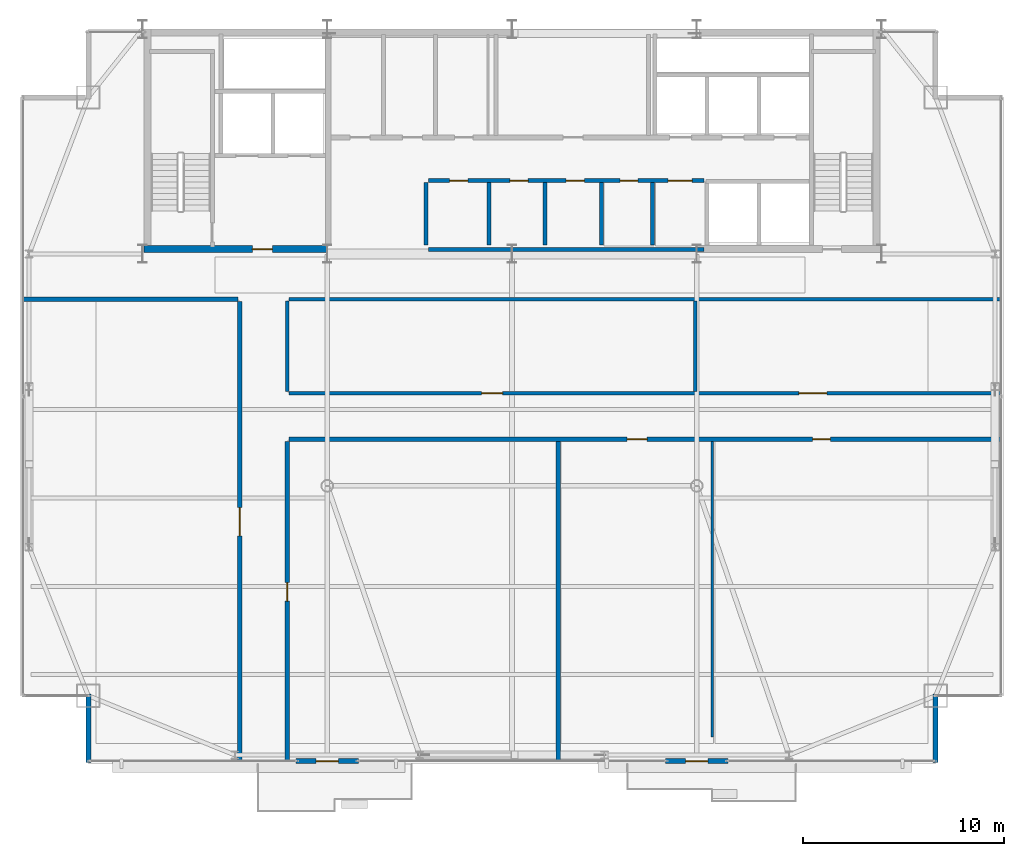
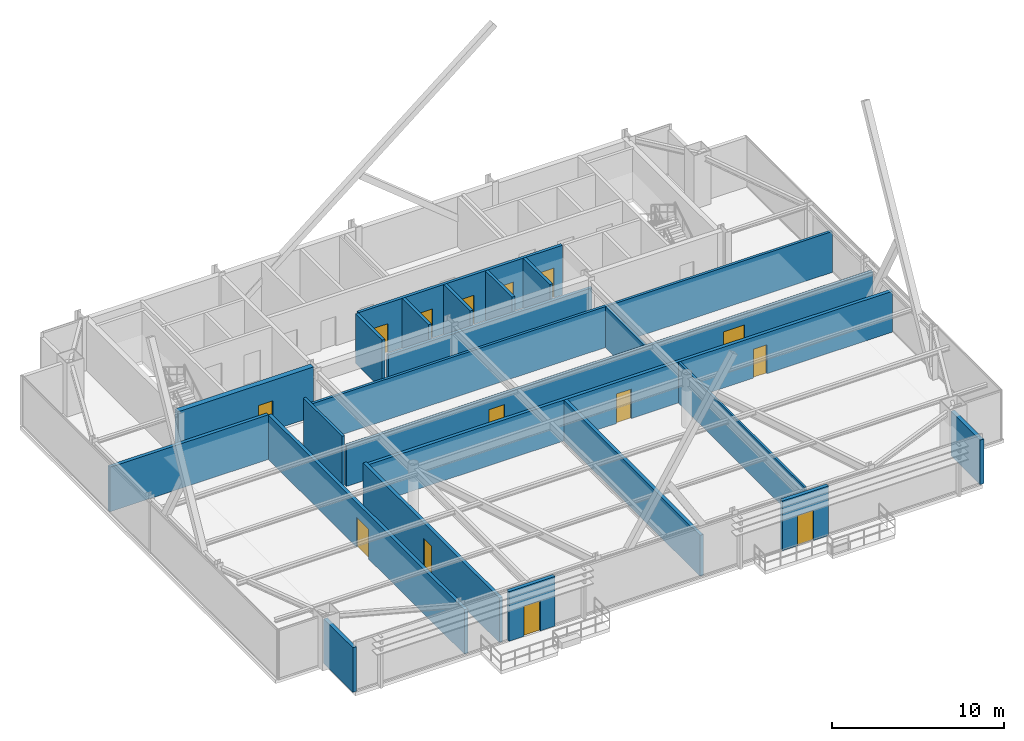
# One storey, part 27 of 31: 22 walls, 14 doors, 14 openings.
"""IFC4 building model written with IfcOpenShell, lengths in metres."""

from ifc_helpers import new_model, si_unit, direction, frame, frame_2d, origin, place, context, subcontext, project, spatial, rectangle, extrude, source, transform, mapped, material, layer, layer_set, type_object, type_shapes, element, fill, save


model = new_model("IFC4")

# Units and contexts
model_context = context("Model", 3, precision=1e-05, world=origin(), true_north=direction((0.0, 1.0)))
body_context = subcontext(model_context, "Body", "Model", "MODEL_VIEW")
ifc_project = project(units=[si_unit("LENGTHUNIT", "METRE"), si_unit("AREAUNIT", "SQUARE_METRE"), si_unit("VOLUMEUNIT", "CUBIC_METRE"), si_unit("PLANEANGLEUNIT", "RADIAN"), si_unit("MASSUNIT", "GRAM", prefix="KILO")], contexts=[model_context])

# Site, building, storey
site_placement = place(None, origin())
site = spatial("IfcSite", under=ifc_project, at=site_placement, CompositionType="ELEMENT")
building_placement = place(site_placement, origin())
building = spatial("IfcBuilding", under=site, at=building_placement, Name="Varnel Quay Broadcast Tower", CompositionType="ELEMENT")
storey_placement = place(building_placement, frame((0.0, 0.0, 239.39990234375)))
storey = spatial("IfcBuildingStorey", under=building, at=storey_placement, Name="L59", CompositionType="ELEMENT", Elevation=239.39990234375)

# Wall, opening, door
ifc_material_1 = material(Name="Concrete CSA A23.3 C50/60", Category="concrete")
ifc_layer_1 = layer(ifc_material_1, 0.35009765625, Name="Concrete CSA A23.3 C50/60")
ifc_layer_set_1 = layer_set([ifc_layer_1], Name="Concrete CSA A23.3 C50/60")
wall_type_1 = type_object("IfcWallType", Name="Wall_CoreShearInt350", PredefinedType="SHEAR", material=ifc_layer_set_1)
wall_1_placement = place(storey_placement, frame((15.669921875, 35.844970703125, 0.0), z_axis=(0.0, 0.0, 1.0), x_axis=(1.0, 0.0, 0.0)))
wall_1 = element("IfcWall", 1, at=wall_1_placement, inside=storey, type_object=wall_type_1, Name="L59 South-West Core Shear Wall", PredefinedType="SHEAR", context=body_context, shape_type="SweptSolid", body=[
    extrude(rectangle(XDim=9.130126953125, YDim=0.35009765625, at=frame_2d((4.56494140625, 0.0))), origin(), (0.0, 0.0, 1.0), 3.550048828125),
])
opening_1_placement = place(wall_1_placement, frame((5.39990234375, 0.0, 0.0)))
opening_1 = element("IfcOpeningElement", 2, at=opening_1_placement, cuts=wall_1, Name="Opening D-L59-FFL", PredefinedType="OPENING", context=body_context, shape_type="SweptSolid", body=[
    extrude(rectangle(XDim=1.0, YDim=2.10009765625, at=frame_2d((0.5, 1.050048828125))), frame((0.0, 0.18505859375, 0.0), z_axis=(0.0, -1.0, 0.0), x_axis=(1.0, 0.0, 0.0)), (0.0, 0.0, 1.0), 0.3701171875),
])
ifc_material_2 = material(Name="Insulated Fire-Rated Hollow Steel Door", Category="steel")
door_type_1 = type_object("IfcDoorType", Name="Door_FireLobby1000", OperationType="NOTDEFINED", PredefinedType="DOOR", material=ifc_material_2)
shared_shape_1 = source(origin(), body_context, "Body", "SweptSolid", [
    extrude(rectangle(XDim=1.0, YDim=2.10009765625, at=frame_2d((0.5, 1.050048828125))), frame((0.0, 0.02490234375, 0.0), z_axis=(0.0, -1.0, 0.0), x_axis=(1.0, 0.0, 0.0)), (0.0, 0.0, 1.0), 0.050048828125),
])
type_shapes(door_type_1, [shared_shape_1])
door_1_placement = place(opening_1_placement, origin())
door_1 = element("IfcDoor", 3, at=door_1_placement, inside=storey, type_object=door_type_1, Name="L59 Firefighting Lobby Door", OperationType="SINGLE_SWING_LEFT", OverallHeight=2.10009765625, OverallWidth=1.0, PredefinedType="DOOR", context=body_context, shape_type="MappedRepresentation", body=[
    mapped(shared_shape_1, transform((0.0, 0.0, 0.0), x_axis=(1.0, 0.0, 0.0), y_axis=(0.0, 1.0, 0.0), z_axis=(0.0, 0.0, 1.0), scale=1.0)),
])
fill(opening_1, door_1)

ifc_material_3 = material(Name="Precast Architectural Concrete C40/50", Category="concrete")
ifc_layer_2 = layer(ifc_material_3, 0.25, Name="Precast Architectural Concrete C40/50")
ifc_layer_set_2 = layer_set([ifc_layer_2], Name="Precast Architectural Concrete C40/50")
wall_type_2 = type_object("IfcWallType", Name="Wall_ExtTerrace250", PredefinedType="SOLIDWALL", material=ifc_layer_set_2)
wall_2_placement = place(storey_placement, frame((23.25, 10.35009765625, 0.0), z_axis=(0.0, 0.0, 1.0), x_axis=(1.0, 0.0, 0.0)))
wall_2 = element("IfcWall", 4, at=wall_2_placement, inside=storey, type_object=wall_type_2, Name="L59 Terrace Access Wall 1", PredefinedType="SOLIDWALL", context=body_context, shape_type="SweptSolid", body=[
    extrude(rectangle(XDim=3.10009765625, YDim=0.25, at=frame_2d((1.550048828125, 0.0))), origin(), (0.0, 0.0, 1.0), 3.530029296875),
])
opening_2_placement = place(wall_2_placement, frame((1.0, 0.0, 0.0)))
opening_2 = element("IfcOpeningElement", 5, at=opening_2_placement, cuts=wall_2, Name="Opening TD-591", PredefinedType="OPENING", context=body_context, shape_type="SweptSolid", body=[
    extrude(rectangle(XDim=1.10009765625, YDim=2.14990234375, at=frame_2d((0.550048828125, 1.074951171875))), frame((0.0, 0.135009765625, 0.0), z_axis=(0.0, -1.0, 0.0), x_axis=(1.0, 0.0, 0.0)), (0.0, 0.0, 1.0), 0.27001953125),
])
ifc_material_4 = material(Name="Anodised Bronze Aluminium 6063-T6", Category="aluminium")
door_type_2 = type_object("IfcDoorType", Name="Door_ExtTerrace1100", OperationType="NOTDEFINED", PredefinedType="DOOR", material=ifc_material_4)
shared_shape_2 = source(origin(), body_context, "Body", "SweptSolid", [
    extrude(rectangle(XDim=1.10009765625, YDim=2.14990234375, at=frame_2d((0.550048828125, 1.074951171875))), frame((0.0, 0.02490234375, 0.0), z_axis=(0.0, -1.0, 0.0), x_axis=(1.0, 0.0, 0.0)), (0.0, 0.0, 1.0), 0.050048828125),
])
type_shapes(door_type_2, [shared_shape_2])
door_2_placement = place(opening_2_placement, frame((1.10009765625, 0.0, 0.0), z_axis=(0.0, 0.0, 1.0), x_axis=(-1.0, 0.0, 0.0)))
door_2 = element("IfcDoor", 6, at=door_2_placement, inside=storey, type_object=door_type_2, Name="L59 Terrace Door TD-591", OperationType="SINGLE_SWING_LEFT", OverallHeight=2.14990234375, OverallWidth=1.10009765625, PredefinedType="DOOR", context=body_context, shape_type="MappedRepresentation", body=[
    mapped(shared_shape_2, transform((0.0, 0.0, 0.0), x_axis=(1.0, 0.0, 0.0), y_axis=(0.0, 1.0, 0.0), z_axis=(0.0, 0.0, 1.0), scale=1.0)),
])
fill(opening_2, door_2)

wall_3_placement = place(storey_placement, frame((41.64990234375, 10.35009765625, 0.0), z_axis=(0.0, 0.0, 1.0), x_axis=(1.0, 0.0, 0.0)))
wall_3 = element("IfcWall", 7, at=wall_3_placement, inside=storey, type_object=wall_type_2, Name="L59 Terrace Access Wall 2", PredefinedType="SOLIDWALL", context=body_context, shape_type="SweptSolid", body=[
    extrude(rectangle(XDim=3.10009765625, YDim=0.25, at=frame_2d((1.550048828125, 0.0))), origin(), (0.0, 0.0, 1.0), 3.530029296875),
])
opening_3_placement = place(wall_3_placement, frame((1.0, 0.0, 0.0)))
opening_3 = element("IfcOpeningElement", 8, at=opening_3_placement, cuts=wall_3, Name="Opening TD-592", PredefinedType="OPENING", context=body_context, shape_type="SweptSolid", body=[
    extrude(rectangle(XDim=1.10009765625, YDim=2.14990234375, at=frame_2d((0.550048828125, 1.074951171875))), frame((0.0, 0.135009765625, 0.0), z_axis=(0.0, -1.0, 0.0), x_axis=(1.0, 0.0, 0.0)), (0.0, 0.0, 1.0), 0.27001953125),
])
door_3_placement = place(opening_3_placement, frame((1.10009765625, 0.0, 0.0), z_axis=(0.0, 0.0, 1.0), x_axis=(-1.0, 0.0, 0.0)))
door_3 = element("IfcDoor", 9, at=door_3_placement, inside=storey, type_object=door_type_2, Name="L59 Terrace Door TD-592", OperationType="SINGLE_SWING_RIGHT", OverallHeight=2.14990234375, OverallWidth=1.10009765625, PredefinedType="DOOR", context=body_context, shape_type="MappedRepresentation", body=[
    mapped(shared_shape_2, transform((0.0, 0.0, 0.0), x_axis=(1.0, 0.0, 0.0), y_axis=(0.0, 1.0, 0.0), z_axis=(0.0, 0.0, 1.0), scale=1.0)),
])
fill(opening_3, door_3)

# Walls
for number, where, z_axis, x_axis, name in (
    (10, (12.89990234375, 10.280029296875, 0.0), (0.0, 0.0, 1.0), (0.0, 1.0, 0.0), "L59 Mega-Column Notch Cladding Wall NSW2"),
    (11, (55.10009765625, 10.280029296875, 0.0), (0.0, 0.0, 1.0), (0.0, 1.0, 0.0), "L59 Mega-Column Notch Cladding Wall NSE2"),
):
    element("IfcWall", number, at=place(storey_placement, frame(where, z_axis=z_axis, x_axis=x_axis)), inside=storey, type_object=wall_type_2, Name=name, PredefinedType="SOLIDWALL", context=body_context, shape_type="SweptSolid", body=[
        extrude(rectangle(XDim=3.39990234375, YDim=0.25, at=frame_2d((1.699951171875, 0.0))), origin(), (0.0, 0.0, 1.0), 3.171142578125),
    ])
ifc_material_5 = material(Name="Concrete Blockwork Fire Enclosure C40/50", Category="masonry")
ifc_layer_3 = layer(ifc_material_5, 0.199951171875, Name="Concrete Blockwork Fire Enclosure C40/50")
ifc_layer_set_3 = layer_set([ifc_layer_3], Name="Concrete Blockwork Fire Enclosure C40/50")
wall_type_3 = type_object("IfcWallType", Name="Wall_FireShaft200", PredefinedType="SOLIDWALL", material=ifc_layer_set_3)
wall_4_placement = place(storey_placement, frame((29.85009765625, 35.824951171875, 0.0), z_axis=(0.0, 0.0, 1.0), x_axis=(1.0, 0.0, 0.0)))
element("IfcWall", 12, at=wall_4_placement, inside=storey, type_object=wall_type_3, Name="L59 Accessible Washroom Partition 1", PredefinedType="SOLIDWALL", context=body_context, shape_type="SweptSolid", body=[
    extrude(rectangle(XDim=13.699951171875, YDim=0.199951171875, at=frame_2d((6.85009765625, 0.0))), origin(), (0.0, 0.0, 1.0), 2.5751953125),
])

# Wall, openings, doors
wall_5_placement = place(storey_placement, frame((29.85009765625, 39.25, 0.0), z_axis=(0.0, 0.0, 1.0), x_axis=(1.0, 0.0, 0.0)))
wall_5 = element("IfcWall", 13, at=wall_5_placement, inside=storey, type_object=wall_type_3, Name="L59 Accessible Washroom Partition 3", PredefinedType="SOLIDWALL", context=body_context, shape_type="SweptSolid", body=[
    extrude(rectangle(XDim=13.699951171875, YDim=0.199951171875, at=frame_2d((6.85009765625, 0.0))), origin(), (0.0, 0.0, 1.0), 3.530029296875),
])
opening_4_placement = place(wall_5_placement, frame((1.050048828125, 0.0, 0.0)))
opening_4 = element("IfcOpeningElement", 14, at=opening_4_placement, cuts=wall_5, Name="Opening D-L59-01", PredefinedType="OPENING", context=body_context, shape_type="SweptSolid", body=[
    extrude(rectangle(XDim=0.89990234375, YDim=2.06005859375, at=frame_2d((0.449951171875, 1.030029296875))), frame((0.0, 0.10986328125, 0.0), z_axis=(0.0, -1.0, 0.0), x_axis=(1.0, 0.0, 0.0)), (0.0, 0.0, 1.0), 0.219970703125),
])
opening_5_placement = place(wall_5_placement, frame((4.050048828125, 0.0, 0.0)))
opening_5 = element("IfcOpeningElement", 15, at=opening_5_placement, cuts=wall_5, Name="Opening D-L59-02", PredefinedType="OPENING", context=body_context, shape_type="SweptSolid", body=[
    extrude(rectangle(XDim=0.89990234375, YDim=2.06005859375, at=frame_2d((0.449951171875, 1.030029296875))), frame((0.0, 0.10986328125, 0.0), z_axis=(0.0, -1.0, 0.0), x_axis=(1.0, 0.0, 0.0)), (0.0, 0.0, 1.0), 0.219970703125),
])
opening_6_placement = place(wall_5_placement, frame((6.85009765625, 0.0, 0.0)))
opening_6 = element("IfcOpeningElement", 16, at=opening_6_placement, cuts=wall_5, Name="Opening D-L59-03", PredefinedType="OPENING", context=body_context, shape_type="SweptSolid", body=[
    extrude(rectangle(XDim=0.89990234375, YDim=2.06005859375, at=frame_2d((0.449951171875, 1.030029296875))), frame((0.0, 0.10986328125, 0.0), z_axis=(0.0, -1.0, 0.0), x_axis=(1.0, 0.0, 0.0)), (0.0, 0.0, 1.0), 0.219970703125),
])
opening_7_placement = place(wall_5_placement, frame((9.534912109375, 0.0, 0.0)))
opening_7 = element("IfcOpeningElement", 17, at=opening_7_placement, cuts=wall_5, Name="Opening D-L59-04", PredefinedType="OPENING", context=body_context, shape_type="SweptSolid", body=[
    extrude(rectangle(XDim=0.8798828125, YDim=2.06005859375, at=frame_2d((0.43994140625, 1.030029296875))), frame((0.0, 0.10986328125, 0.0), z_axis=(0.0, -1.0, 0.0), x_axis=(1.0, 0.0, 0.0)), (0.0, 0.0, 1.0), 0.219970703125),
])
opening_8_placement = place(wall_5_placement, frame((11.925048828125, 0.0, 0.0)))
opening_8 = element("IfcOpeningElement", 18, at=opening_8_placement, cuts=wall_5, Name="Opening D-L59-05", PredefinedType="OPENING", context=body_context, shape_type="SweptSolid", body=[
    extrude(rectangle(XDim=1.199951171875, YDim=2.10009765625, at=frame_2d((0.60009765625, 1.050048828125))), frame((0.0, 0.10986328125, 0.0), z_axis=(0.0, -1.0, 0.0), x_axis=(1.0, 0.0, 0.0)), (0.0, 0.0, 1.0), 0.219970703125),
])
ifc_material_6 = material(Name="Solid-Core Fire-Rated Acoustic Oak Veneer Door", Category="wood")
door_type_3 = type_object("IfcDoorType", Name="Door_Washroom900", OperationType="NOTDEFINED", PredefinedType="DOOR", material=ifc_material_6)
shared_shape_3 = source(origin(), body_context, "Body", "SweptSolid", [
    extrude(rectangle(XDim=0.89990234375, YDim=2.06005859375, at=frame_2d((0.449951171875, 1.030029296875))), frame((0.0, 0.02490234375, 0.0), z_axis=(0.0, -1.0, 0.0), x_axis=(1.0, 0.0, 0.0)), (0.0, 0.0, 1.0), 0.050048828125),
])
type_shapes(door_type_3, [shared_shape_3])
door_4_placement = place(opening_4_placement, frame((0.89990234375, 0.0, 0.0), z_axis=(0.0, 0.0, 1.0), x_axis=(-1.0, 0.0, 0.0)))
door_4 = element("IfcDoor", 19, at=door_4_placement, inside=storey, type_object=door_type_3, Name="L59 Accessible Washroom Door D-L59-01", OperationType="SINGLE_SWING_LEFT", OverallHeight=2.06005859375, OverallWidth=0.89990234375, PredefinedType="DOOR", context=body_context, shape_type="MappedRepresentation", body=[
    mapped(shared_shape_3, transform((0.0, 0.0, 0.0), x_axis=(1.0, 0.0, 0.0), y_axis=(0.0, 1.0, 0.0), z_axis=(0.0, 0.0, 1.0), scale=1.0)),
])
fill(opening_4, door_4)
door_5_placement = place(opening_5_placement, frame((0.89990234375, 0.0, 0.0), z_axis=(0.0, 0.0, 1.0), x_axis=(-1.0, 0.0, 0.0)))
door_5 = element("IfcDoor", 20, at=door_5_placement, inside=storey, type_object=door_type_3, Name="L59 West Gender-Neutral Washroom Door D-L59-02", OperationType="SINGLE_SWING_RIGHT", OverallHeight=2.06005859375, OverallWidth=0.89990234375, PredefinedType="DOOR", context=body_context, shape_type="MappedRepresentation", body=[
    mapped(shared_shape_3, transform((0.0, 0.0, 0.0), x_axis=(1.0, 0.0, 0.0), y_axis=(0.0, 1.0, 0.0), z_axis=(0.0, 0.0, 1.0), scale=1.0)),
])
fill(opening_5, door_5)
door_6_placement = place(opening_6_placement, frame((0.89990234375, 0.0, 0.0), z_axis=(0.0, 0.0, 1.0), x_axis=(-1.0, 0.0, 0.0)))
door_6 = element("IfcDoor", 21, at=door_6_placement, inside=storey, type_object=door_type_3, Name="L59 East Staff Washroom Door D-L59-03", OperationType="SINGLE_SWING_LEFT", OverallHeight=2.06005859375, OverallWidth=0.89990234375, PredefinedType="DOOR", context=body_context, shape_type="MappedRepresentation", body=[
    mapped(shared_shape_3, transform((0.0, 0.0, 0.0), x_axis=(1.0, 0.0, 0.0), y_axis=(0.0, 1.0, 0.0), z_axis=(0.0, 0.0, 1.0), scale=1.0)),
])
fill(opening_6, door_6)
door_type_4 = type_object("IfcDoorType", Name="Door_Plant1200", OperationType="NOTDEFINED", PredefinedType="DOOR", material=ifc_material_2)
shared_shape_4 = source(origin(), body_context, "Body", "SweptSolid", [
    extrude(rectangle(XDim=1.199951171875, YDim=2.10009765625, at=frame_2d((0.60009765625, 1.050048828125))), frame((0.0, 0.02490234375, 0.0), z_axis=(0.0, -1.0, 0.0), x_axis=(1.0, 0.0, 0.0)), (0.0, 0.0, 1.0), 0.050048828125),
])
type_shapes(door_type_4, [shared_shape_4])
door_7_placement = place(opening_8_placement, origin())
door_7 = element("IfcDoor", 22, at=door_7_placement, inside=storey, type_object=door_type_4, Name="L59 Telecom IDF Closet Door D-L59-05", OperationType="SINGLE_SWING_LEFT", OverallHeight=2.10009765625, OverallWidth=1.199951171875, PredefinedType="DOOR", context=body_context, shape_type="MappedRepresentation", body=[
    mapped(shared_shape_4, transform((0.0, 0.0, 0.0), x_axis=(1.0, 0.0, 0.0), y_axis=(0.0, 1.0, 0.0), z_axis=(0.0, 0.0, 1.0), scale=1.0)),
])
fill(opening_8, door_7)
door_type_5 = type_object("IfcDoorType", Name="Door_Booth880", OperationType="NOTDEFINED", PredefinedType="DOOR", material=ifc_material_6)
shared_shape_5 = source(origin(), body_context, "Body", "SweptSolid", [
    extrude(rectangle(XDim=0.8798828125, YDim=2.06005859375, at=frame_2d((0.43994140625, 1.030029296875))), frame((0.0, 0.02490234375, 0.0), z_axis=(0.0, -1.0, 0.0), x_axis=(1.0, 0.0, 0.0)), (0.0, 0.0, 1.0), 0.050048828125),
])
type_shapes(door_type_5, [shared_shape_5])
door_8_placement = place(opening_7_placement, frame((0.8798828125, 0.0, 0.0), z_axis=(0.0, 0.0, 1.0), x_axis=(-1.0, 0.0, 0.0)))
door_8 = element("IfcDoor", 23, at=door_8_placement, inside=storey, type_object=door_type_5, Name="L59 Cleaners' & Linen Store Door D-L59-04", OperationType="SINGLE_SWING_RIGHT", OverallHeight=2.06005859375, OverallWidth=0.8798828125, PredefinedType="DOOR", context=body_context, shape_type="MappedRepresentation", body=[
    mapped(shared_shape_5, transform((0.0, 0.0, 0.0), x_axis=(1.0, 0.0, 0.0), y_axis=(0.0, 1.0, 0.0), z_axis=(0.0, 0.0, 1.0), scale=1.0)),
])
fill(opening_7, door_8)

# Walls
wall_6_placement = place(storey_placement, frame((41.0, 36.050048828125, 0.0), z_axis=(0.0, 0.0, 1.0), x_axis=(0.0, 1.0, 0.0)))
element("IfcWall", 24, at=wall_6_placement, inside=storey, type_object=wall_type_3, Name="L59 Cleaners' & Linen Store Partition 7", PredefinedType="SOLIDWALL", context=body_context, shape_type="SweptSolid", body=[
    extrude(rectangle(XDim=3.099853515625, YDim=0.199951171875, at=frame_2d((1.5498046875, 0.0))), origin(), (0.0, 0.0, 1.0), 3.530029296875),
])
ifc_material_7 = material(Name="Steel-Stud Fire-Rated Acoustic Gypsum Partition Assembly", Category="steel")
ifc_layer_4 = layer(ifc_material_7, 0.139892578125, Name="Steel-Stud Fire-Rated Acoustic Gypsum Partition Assembly")
ifc_layer_set_4 = layer_set([ifc_layer_4], Name="Steel-Stud Fire-Rated Acoustic Gypsum Partition Assembly")
wall_type_4 = type_object("IfcWallType", Name="Wall_Partition140", PredefinedType="PARTITIONING", material=ifc_layer_set_4)
wall_7_placement = place(storey_placement, frame((43.969970703125, 11.550048828125, 0.0), z_axis=(0.0, 0.0, 1.0), x_axis=(0.0, 1.0, 0.0)))
element("IfcWall", 25, at=wall_7_placement, inside=storey, type_object=wall_type_4, Name="L59 Talent Lounge 3 Partition 13", PredefinedType="PARTITIONING", context=body_context, shape_type="SweptSolid", body=[
    extrude(rectangle(XDim=14.7080078125, YDim=0.139892578125, at=frame_2d((7.35400390625, 0.0))), origin(), (0.0, 0.0, 1.0), 2.908203125),
])

# Wall, openings, doors
ifc_layer_5 = layer(ifc_material_7, 0.175048828125, Name="Steel-Stud Fire-Rated Acoustic Gypsum Partition Assembly")
ifc_layer_set_5 = layer_set([ifc_layer_5], Name="Steel-Stud Fire-Rated Acoustic Gypsum Partition Assembly")
wall_type_5 = type_object("IfcWallType", Name="Wall_Partition175", PredefinedType="PARTITIONING", material=ifc_layer_set_5)
wall_8_placement = place(storey_placement, frame((22.89990234375, 28.669921875, 0.0), z_axis=(0.0, 0.0, 1.0), x_axis=(1.0, 0.0, 0.0)))
wall_8 = element("IfcWall", 26, at=wall_8_placement, inside=storey, type_object=wall_type_5, Name="L59 Broadcast Seminar Room 5 Partition 14", PredefinedType="PARTITIONING", context=body_context, shape_type="SweptSolid", body=[
    extrude(rectangle(XDim=35.420166015625, YDim=0.175048828125, at=frame_2d((17.7099609375, 0.0))), origin(), (0.0, 0.0, 1.0), 2.908203125),
])
opening_9_placement = place(wall_8_placement, frame((9.5849609375, 0.0, 0.0)))
opening_9 = element("IfcOpeningElement", 27, at=opening_9_placement, cuts=wall_8, Name="Opening D-L59-10", PredefinedType="OPENING", context=body_context, shape_type="SweptSolid", body=[
    extrude(rectangle(XDim=1.050048828125, YDim=2.10009765625, at=frame_2d((0.52490234375, 1.050048828125))), frame((0.0, 0.09765625, 0.0), z_axis=(0.0, -1.0, 0.0), x_axis=(1.0, 0.0, 0.0)), (0.0, 0.0, 1.0), 0.195068359375),
])
opening_10_placement = place(wall_8_placement, frame((25.385009765625, 0.0, 0.0)))
opening_10 = element("IfcOpeningElement", 28, at=opening_10_placement, cuts=wall_8, Name="Opening D-L59-11", PredefinedType="OPENING", context=body_context, shape_type="SweptSolid", body=[
    extrude(rectangle(XDim=1.39990234375, YDim=2.1201171875, at=frame_2d((0.699951171875, 1.06005859375))), frame((0.0, 0.09765625, 0.0), z_axis=(0.0, -1.0, 0.0), x_axis=(1.0, 0.0, 0.0)), (0.0, 0.0, 1.0), 0.195068359375),
])
door_type_6 = type_object("IfcDoorType", Name="Door_Meeting1050", OperationType="NOTDEFINED", PredefinedType="DOOR", material=ifc_material_6)
shared_shape_6 = source(origin(), body_context, "Body", "SweptSolid", [
    extrude(rectangle(XDim=1.050048828125, YDim=2.10009765625, at=frame_2d((0.52490234375, 1.050048828125))), frame((0.0, 0.02490234375, 0.0), z_axis=(0.0, -1.0, 0.0), x_axis=(1.0, 0.0, 0.0)), (0.0, 0.0, 1.0), 0.050048828125),
])
type_shapes(door_type_6, [shared_shape_6])
door_9_placement = place(opening_9_placement, origin())
door_9 = element("IfcDoor", 29, at=door_9_placement, inside=storey, type_object=door_type_6, Name="L59 Broadcast Seminar Room 5 Door D-L59-10", OperationType="SINGLE_SWING_LEFT", OverallHeight=2.10009765625, OverallWidth=1.050048828125, PredefinedType="DOOR", context=body_context, shape_type="MappedRepresentation", body=[
    mapped(shared_shape_6, transform((0.0, 0.0, 0.0), x_axis=(1.0, 0.0, 0.0), y_axis=(0.0, 1.0, 0.0), z_axis=(0.0, 0.0, 1.0), scale=1.0)),
])
fill(opening_9, door_9)
door_type_7 = type_object("IfcDoorType", Name="Door_Gallery1400", OperationType="DOUBLE_DOOR_SINGLE_SWING", PredefinedType="DOOR", material=ifc_material_6)
shared_shape_7 = source(origin(), body_context, "Body", "SweptSolid", [
    extrude(rectangle(XDim=1.39990234375, YDim=2.1201171875, at=frame_2d((0.699951171875, 1.06005859375))), frame((0.0, 0.02490234375, 0.0), z_axis=(0.0, -1.0, 0.0), x_axis=(1.0, 0.0, 0.0)), (0.0, 0.0, 1.0), 0.050048828125),
])
type_shapes(door_type_7, [shared_shape_7])
door_10_placement = place(opening_10_placement, origin())
door_10 = element("IfcDoor", 30, at=door_10_placement, inside=storey, type_object=door_type_7, Name="L59 Podcast Recording Studio 6 Door D-L59-11", OperationType="DOUBLE_DOOR_SINGLE_SWING", OverallHeight=2.1201171875, OverallWidth=1.39990234375, PredefinedType="DOOR", context=body_context, shape_type="MappedRepresentation", body=[
    mapped(shared_shape_7, transform((0.0, 0.0, 0.0), x_axis=(1.0, 0.0, 0.0), y_axis=(0.0, 1.0, 0.0), z_axis=(0.0, 0.0, 1.0), scale=1.0)),
])
fill(opening_10, door_10)

# Walls
wall_9_placement = place(storey_placement, frame((43.1201171875, 28.758056640625, 0.0), z_axis=(0.0, 0.0, 1.0), x_axis=(0.0, 1.0, 0.0)))
element("IfcWall", 31, at=wall_9_placement, inside=storey, type_object=wall_type_5, Name="L59 Broadcast Seminar Room 5 Partition 15", PredefinedType="PARTITIONING", context=body_context, shape_type="SweptSolid", body=[
    extrude(rectangle(XDim=4.5048828125, YDim=0.175048828125, at=frame_2d((2.25244140625, 0.0))), origin(), (0.0, 0.0, 1.0), 2.908203125),
])
wall_10_placement = place(storey_placement, frame((22.89990234375, 33.35009765625, 0.0), z_axis=(0.0, 0.0, 1.0), x_axis=(1.0, 0.0, 0.0)))
element("IfcWall", 32, at=wall_10_placement, inside=storey, type_object=wall_type_5, Name="L59 Broadcast Seminar Room 5 Partition 16", PredefinedType="PARTITIONING", context=body_context, shape_type="SweptSolid", body=[
    extrude(rectangle(XDim=35.420166015625, YDim=0.175048828125, at=frame_2d((17.7099609375, 0.0))), origin(), (0.0, 0.0, 1.0), 2.908203125),
])
wall_11_placement = place(storey_placement, frame((22.800048828125, 28.758056640625, 0.0), z_axis=(0.0, 0.0, 1.0), x_axis=(0.0, 1.0, 0.0)))
element("IfcWall", 33, at=wall_11_placement, inside=storey, type_object=wall_type_5, Name="L59 Broadcast Seminar Room 5 Partition 17", PredefinedType="PARTITIONING", context=body_context, shape_type="SweptSolid", body=[
    extrude(rectangle(XDim=4.5048828125, YDim=0.175048828125, at=frame_2d((2.25244140625, 0.0))), origin(), (0.0, 0.0, 1.0), 3.530029296875),
])

# Wall, opening, door
ifc_layer_6 = layer(ifc_material_7, 0.22509765625, Name="Steel-Stud Fire-Rated Acoustic Gypsum Partition Assembly")
ifc_layer_set_6 = layer_set([ifc_layer_6], Name="Steel-Stud Fire-Rated Acoustic Gypsum Partition Assembly")
wall_type_6 = type_object("IfcWallType", Name="Wall_Partition225", PredefinedType="PARTITIONING", material=ifc_layer_set_6)
wall_12_placement = place(storey_placement, frame((20.449951171875, 10.3798828125, 0.0), z_axis=(0.0, 0.0, 1.0), x_axis=(0.0, 1.0, 0.0)))
wall_12 = element("IfcWall", 34, at=wall_12_placement, inside=storey, type_object=wall_type_6, Name="L59 Voice Booth 1 Partition 8", PredefinedType="PARTITIONING", context=body_context, shape_type="SweptSolid", body=[
    extrude(rectangle(XDim=22.858154296875, YDim=0.22509765625, at=frame_2d((11.42919921875, 0.0))), origin(), (0.0, 0.0, 1.0), 3.171142578125),
])
opening_11_placement = place(wall_12_placement, frame((11.18408203125, 0.0, 0.0)))
opening_11 = element("IfcOpeningElement", 35, at=opening_11_placement, cuts=wall_12, Name="Opening D-L59-06", PredefinedType="OPENING", context=body_context, shape_type="SweptSolid", body=[
    extrude(rectangle(XDim=1.39990234375, YDim=2.1201171875, at=frame_2d((0.699951171875, 1.06005859375))), frame((0.0, 0.12255859375, 0.0), z_axis=(0.0, -1.0, 0.0), x_axis=(1.0, 0.0, 0.0)), (0.0, 0.0, 1.0), 0.2451171875),
])
door_11_placement = place(opening_11_placement, origin())
door_11 = element("IfcDoor", 36, at=door_11_placement, inside=storey, type_object=door_type_7, Name="L59 Voice Booth 1 Door D-L59-06", OperationType="DOUBLE_DOOR_SINGLE_SWING", OverallHeight=2.1201171875, OverallWidth=1.39990234375, PredefinedType="DOOR", context=body_context, shape_type="MappedRepresentation", body=[
    mapped(shared_shape_7, transform((0.0, 0.0, 0.0), x_axis=(1.0, 0.0, 0.0), y_axis=(0.0, 1.0, 0.0), z_axis=(0.0, 0.0, 1.0), scale=1.0)),
])
fill(opening_11, door_11)

# Walls
wall_13_placement = place(storey_placement, frame((9.679931640625, 33.35009765625, 0.0), z_axis=(0.0, 0.0, 1.0), x_axis=(1.0, 0.0, 0.0)))
element("IfcWall", 37, at=wall_13_placement, inside=storey, type_object=wall_type_6, Name="L59 Voice Booth 1 Partition 9", PredefinedType="PARTITIONING", context=body_context, shape_type="SweptSolid", body=[
    extrude(rectangle(XDim=10.670166015625, YDim=0.22509765625, at=frame_2d((5.3349609375, 0.0))), origin(), (0.0, 0.0, 1.0), 3.171142578125),
])
wall_14_placement = place(storey_placement, frame((36.300048828125, 10.3798828125, 0.0), z_axis=(0.0, 0.0, 1.0), x_axis=(0.0, 1.0, 0.0)))
element("IfcWall", 38, at=wall_14_placement, inside=storey, type_object=wall_type_6, Name="L59 Audio Control Room 2 Partition 10", PredefinedType="PARTITIONING", context=body_context, shape_type="SweptSolid", body=[
    extrude(rectangle(XDim=15.878173828125, YDim=0.22509765625, at=frame_2d((7.93896484375, 0.0))), origin(), (0.0, 0.0, 1.0), 2.908203125),
])

# Wall, openings, doors
wall_15_placement = place(storey_placement, frame((22.89990234375, 26.3701171875, 0.0), z_axis=(0.0, 0.0, 1.0), x_axis=(1.0, 0.0, 0.0)))
wall_15 = element("IfcWall", 39, at=wall_15_placement, inside=storey, type_object=wall_type_6, Name="L59 Audio Control Room 2 Partition 11", PredefinedType="PARTITIONING", context=body_context, shape_type="SweptSolid", body=[
    extrude(rectangle(XDim=35.420166015625, YDim=0.22509765625, at=frame_2d((17.7099609375, 0.0))), origin(), (0.0, 0.0, 1.0), 2.908203125),
])
opening_12_placement = place(wall_15_placement, frame((16.8349609375, 0.0, 0.0)))
opening_12 = element("IfcOpeningElement", 40, at=opening_12_placement, cuts=wall_15, Name="Opening D-L59-08", PredefinedType="OPENING", context=body_context, shape_type="SweptSolid", body=[
    extrude(rectangle(XDim=1.0, YDim=2.10009765625, at=frame_2d((0.5, 1.050048828125))), frame((0.0, 0.12255859375, 0.0), z_axis=(0.0, -1.0, 0.0), x_axis=(1.0, 0.0, 0.0)), (0.0, 0.0, 1.0), 0.2451171875),
])
opening_13_placement = place(wall_15_placement, frame((26.070068359375, 0.0, 0.0)))
opening_13 = element("IfcOpeningElement", 41, at=opening_13_placement, cuts=wall_15, Name="Opening D-L59-09", PredefinedType="OPENING", context=body_context, shape_type="SweptSolid", body=[
    extrude(rectangle(XDim=0.8798828125, YDim=2.06005859375, at=frame_2d((0.43994140625, 1.030029296875))), frame((0.0, 0.12255859375, 0.0), z_axis=(0.0, -1.0, 0.0), x_axis=(1.0, 0.0, 0.0)), (0.0, 0.0, 1.0), 0.2451171875),
])
door_12_placement = place(opening_13_placement, frame((0.8798828125, 0.0, 0.0), z_axis=(0.0, 0.0, 1.0), x_axis=(-1.0, 0.0, 0.0)))
door_12 = element("IfcDoor", 42, at=door_12_placement, inside=storey, type_object=door_type_5, Name="L59 Pantry Niche 4 Door D-L59-09", OperationType="SINGLE_SWING_RIGHT", OverallHeight=2.06005859375, OverallWidth=0.8798828125, PredefinedType="DOOR", context=body_context, shape_type="MappedRepresentation", body=[
    mapped(shared_shape_5, transform((0.0, 0.0, 0.0), x_axis=(1.0, 0.0, 0.0), y_axis=(0.0, 1.0, 0.0), z_axis=(0.0, 0.0, 1.0), scale=1.0)),
])
fill(opening_13, door_12)
door_type_8 = type_object("IfcDoorType", Name="Door_Exec1000", OperationType="NOTDEFINED", PredefinedType="DOOR", material=ifc_material_6)
shared_shape_8 = source(origin(), body_context, "Body", "SweptSolid", [
    extrude(rectangle(XDim=1.0, YDim=2.10009765625, at=frame_2d((0.5, 1.050048828125))), frame((0.0, 0.02490234375, 0.0), z_axis=(0.0, -1.0, 0.0), x_axis=(1.0, 0.0, 0.0)), (0.0, 0.0, 1.0), 0.050048828125),
])
type_shapes(door_type_8, [shared_shape_8])
door_13_placement = place(opening_12_placement, frame((1.0, 0.0, 0.0), z_axis=(0.0, 0.0, 1.0), x_axis=(-1.0, 0.0, 0.0)))
door_13 = element("IfcDoor", 43, at=door_13_placement, inside=storey, type_object=door_type_8, Name="L59 Talent Lounge 3 Door D-L59-08", OperationType="SINGLE_SWING_LEFT", OverallHeight=2.10009765625, OverallWidth=1.0, PredefinedType="DOOR", context=body_context, shape_type="MappedRepresentation", body=[
    mapped(shared_shape_8, transform((0.0, 0.0, 0.0), x_axis=(1.0, 0.0, 0.0), y_axis=(0.0, 1.0, 0.0), z_axis=(0.0, 0.0, 1.0), scale=1.0)),
])
fill(opening_12, door_13)

# Wall, opening, door
wall_16_placement = place(storey_placement, frame((22.800048828125, 10.3798828125, 0.0), z_axis=(0.0, 0.0, 1.0), x_axis=(0.0, 1.0, 0.0)))
wall_16 = element("IfcWall", 44, at=wall_16_placement, inside=storey, type_object=wall_type_6, Name="L59 Audio Control Room 2 Partition 12", PredefinedType="PARTITIONING", context=body_context, shape_type="SweptSolid", body=[
    extrude(rectangle(XDim=15.878173828125, YDim=0.22509765625, at=frame_2d((7.93896484375, 0.0))), origin(), (0.0, 0.0, 1.0), 3.171142578125),
])
opening_14_placement = place(wall_16_placement, frame((7.93408203125, 0.0, 0.0)))
opening_14 = element("IfcOpeningElement", 45, at=opening_14_placement, cuts=wall_16, Name="Opening D-L59-07", PredefinedType="OPENING", context=body_context, shape_type="SweptSolid", body=[
    extrude(rectangle(XDim=0.919921875, YDim=2.080078125, at=frame_2d((0.4599609375, 1.0400390625))), frame((0.0, 0.12255859375, 0.0), z_axis=(0.0, -1.0, 0.0), x_axis=(1.0, 0.0, 0.0)), (0.0, 0.0, 1.0), 0.2451171875),
])
door_type_9 = type_object("IfcDoorType", Name="Door_Office920", OperationType="NOTDEFINED", PredefinedType="DOOR", material=ifc_material_6)
shared_shape_9 = source(origin(), body_context, "Body", "SweptSolid", [
    extrude(rectangle(XDim=0.919921875, YDim=2.080078125, at=frame_2d((0.4599609375, 1.0400390625))), frame((0.0, 0.02490234375, 0.0), z_axis=(0.0, -1.0, 0.0), x_axis=(1.0, 0.0, 0.0)), (0.0, 0.0, 1.0), 0.050048828125),
])
type_shapes(door_type_9, [shared_shape_9])
door_14_placement = place(opening_14_placement, frame((0.919921875, 0.0, 0.0), z_axis=(0.0, 0.0, 1.0), x_axis=(-1.0, 0.0, 0.0)))
door_14 = element("IfcDoor", 46, at=door_14_placement, inside=storey, type_object=door_type_9, Name="L59 Audio Control Room 2 Door D-L59-07", OperationType="SINGLE_SWING_RIGHT", OverallHeight=2.080078125, OverallWidth=0.919921875, PredefinedType="DOOR", context=body_context, shape_type="MappedRepresentation", body=[
    mapped(shared_shape_9, transform((0.0, 0.0, 0.0), x_axis=(1.0, 0.0, 0.0), y_axis=(0.0, 1.0, 0.0), z_axis=(0.0, 0.0, 1.0), scale=1.0)),
])
fill(opening_14, door_14)

# Walls
ifc_material_8 = material(Name="Fire-Rated Moisture-Resistant Plumbing Chase Partition")
ifc_layer_7 = layer(ifc_material_8, 0.199951171875, Name="Fire-Rated Moisture-Resistant Plumbing Chase Partition")
ifc_layer_set_7 = layer_set([ifc_layer_7], Name="Fire-Rated Moisture-Resistant Plumbing Chase Partition")
wall_type_7 = type_object("IfcWallType", Name="Wall_Plumbing200", PredefinedType="PLUMBINGWALL", material=ifc_layer_set_7)
for number, where, z_axis, x_axis, name in (
    (47, (32.85009765625, 36.050048828125, 0.0), (0.0, 0.0, 1.0), (0.0, 1.0, 0.0), "L59 Accessible Washroom Partition 2"),
    (48, (29.72509765625, 36.050048828125, 0.0), (0.0, 0.0, 1.0), (0.0, 1.0, 0.0), "L59 Accessible Washroom Partition 4"),
    (49, (35.64990234375, 36.050048828125, 0.0), (0.0, 0.0, 1.0), (0.0, 1.0, 0.0), "L59 West Gender-Neutral Washroom Partition 5"),
    (50, (38.449951171875, 36.050048828125, 0.0), (0.0, 0.0, 1.0), (0.0, 1.0, 0.0), "L59 East Staff Washroom Partition 6"),
):
    element("IfcWall", number, at=place(storey_placement, frame(where, z_axis=z_axis, x_axis=x_axis)), inside=storey, type_object=wall_type_7, Name=name, PredefinedType="PLUMBINGWALL", context=body_context, shape_type="SweptSolid", body=[
        extrude(rectangle(XDim=3.099853515625, YDim=0.199951171875, at=frame_2d((1.5498046875, 0.0))), origin(), (0.0, 0.0, 1.0), 3.530029296875),
    ])

save(model, "model.ifc")
